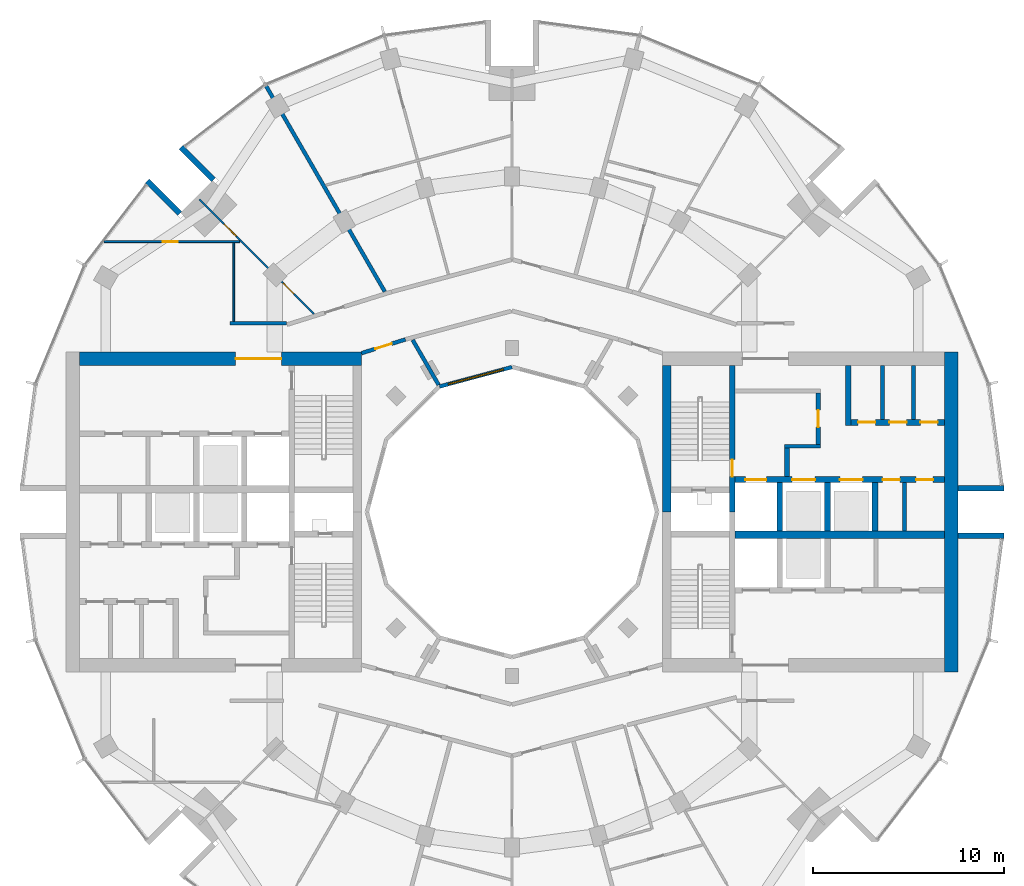
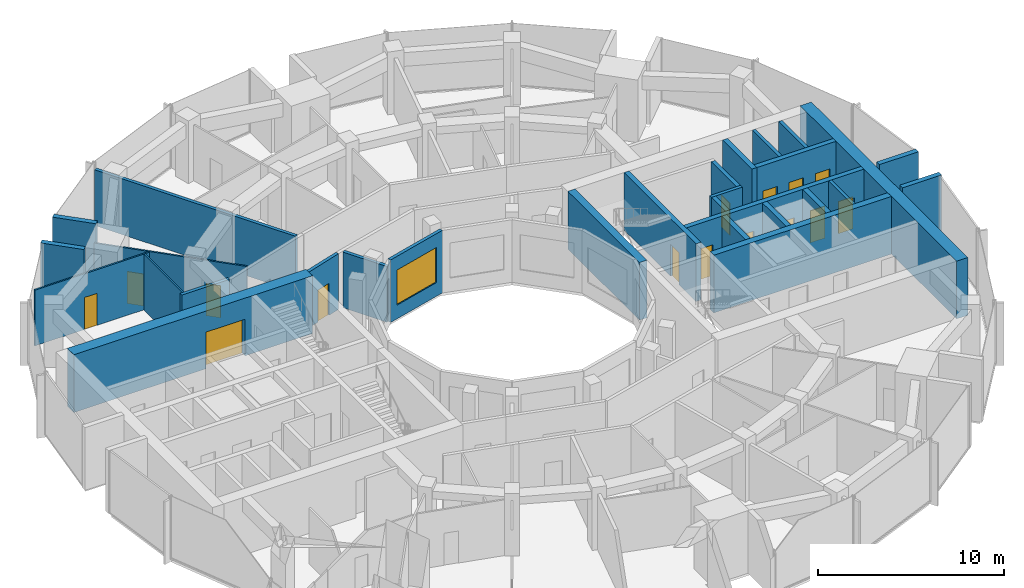
# One storey, part 11 of 15: 29 walls, 15 doors, 1 window, 16 openings.
"""IFC4 building model written with IfcOpenShell, lengths in metres."""

import ifcopenshell
import ifcopenshell.guid

model = None  # the IFC model being written
_history = None  # IfcOwnerHistory: only IFC2X3 demands one
_inside = {}  # id of a spatial element -> (the spatial element, [elements in it])
_under = {}  # id of a project, library or spatial element -> (it, [spatial elements below it])
_declared = {}  # id of a project -> (the project, [libraries it declares])
_typed = {}  # id of a type object -> (the type object, [elements of that type])
_made_of = {}  # id of a material, layer set ... -> (it, [elements and type objects made of it])


def new_model(schema):
    """Start an empty IFC model of exactly this schema.

    Asked for "IFC4X3", IfcOpenShell would pick the latest addendum, in which some entities
    have other attributes; the version numbers below select the first issue.
    IFC2X3 requires an IfcOwnerHistory on every rooted entity: one is made here for all.
    """
    global model, _history
    if schema == "IFC4X3":
        model = ifcopenshell.file(schema_version=(4, 3, 0, 0))
    else:
        model = ifcopenshell.file(schema=schema)
    _inside.clear()
    _under.clear()
    _declared.clear()
    _typed.clear()
    _made_of.clear()
    _history = None
    if model.schema == "IFC2X3":
        org = make("IfcOrganization", Name="unknown")
        user = make(
            "IfcPersonAndOrganization",
            ThePerson=make("IfcPerson", FamilyName="unknown"),
            TheOrganization=org,
        )
        app = make(
            "IfcApplication",
            ApplicationDeveloper=org,
            Version="unknown",
            ApplicationFullName="unknown",
            ApplicationIdentifier="unknown",
        )
        _history = make(
            "IfcOwnerHistory",
            OwningUser=user,
            OwningApplication=app,
            ChangeAction="ADDED",
            CreationDate=0,
        )
    return model


def make(cls, **values):
    """One entity of the class cls with the attributes given. An attribute that is None is left unset."""
    return model.create_entity(
        cls, **{name: value for name, value in values.items() if value is not None}
    )


def rooted(cls, **values):
    """An entity with a GlobalId (a new one), such as an element, a storey or a relation."""
    return make(cls, GlobalId=ifcopenshell.guid.new(), OwnerHistory=_history, **values)


def si_unit(unit_type, name, prefix=None):
    """IfcSIUnit, for example si_unit("LENGTHUNIT", "METRE", prefix="MILLI")."""
    return make("IfcSIUnit", UnitType=unit_type, Prefix=prefix, Name=name)


def assignment(units):
    """IfcUnitAssignment: the units of a project."""
    return None if units is None else make("IfcUnitAssignment", Units=units)


def point(xyz):
    """IfcCartesianPoint."""
    return None if xyz is None else make("IfcCartesianPoint", Coordinates=xyz)


def direction(xyz):
    """IfcDirection."""
    return None if xyz is None else make("IfcDirection", DirectionRatios=xyz)


def frame(location, z_axis=None, x_axis=None):
    """IfcAxis2Placement3D, a coordinate frame: its origin and axes. An axis left out is left unset."""
    return make(
        "IfcAxis2Placement3D",
        Location=point(location),
        Axis=direction(z_axis),
        RefDirection=direction(x_axis),
    )


def frame_2d(location, x_axis=None):
    """IfcAxis2Placement2D, a coordinate frame in the plane: its origin and x axis."""
    return make(
        "IfcAxis2Placement2D", Location=point(location), RefDirection=direction(x_axis)
    )


def origin():
    """The frame at (0, 0, 0) with its axes left unset."""
    return frame((0.0, 0.0, 0.0))


def place(relative_to, where):
    """IfcLocalPlacement: puts the frame where relative to a parent placement (None: the world)."""
    return make(
        "IfcLocalPlacement", PlacementRelTo=relative_to, RelativePlacement=where
    )


def context(
    kind, dimensions, precision=None, world=None, true_north=None, identifier=None
):
    """IfcGeometricRepresentationContext, for example the 3D "Model" context."""
    return make(
        "IfcGeometricRepresentationContext",
        ContextIdentifier=identifier,
        ContextType=kind,
        CoordinateSpaceDimension=dimensions,
        Precision=precision,
        WorldCoordinateSystem=world,
        TrueNorth=true_north,
    )


def subcontext(parent, identifier, kind, view, scale=None):
    """IfcGeometricRepresentationSubContext, for example "Body" below "Model"."""
    return make(
        "IfcGeometricRepresentationSubContext",
        ContextIdentifier=identifier,
        ContextType=kind,
        ParentContext=parent,
        TargetScale=scale,
        TargetView=view,
    )


def project(units=None, contexts=None):
    """IfcProject with its units and contexts."""
    return rooted(
        "IfcProject",
        Name="project",
        RepresentationContexts=contexts,
        UnitsInContext=assignment(units),
    )


def spatial(cls, under=None, at=None, **own):
    """A site, building, storey or space (cls), placed at a placement, below another one or the project."""
    s = rooted(cls, ObjectPlacement=at, **own)
    if under is not None:
        _under.setdefault(under.id(), (under, []))[1].append(s)
    return s


def profile(cls, at=None, kind="AREA", **sizes):
    """A parametric profile (cls). Its sizes go by their IFC names, for example OverallWidth=200.0."""
    return make(cls, ProfileType=kind, Position=at, **sizes)


def rectangle(**sizes):
    """IfcRectangleProfileDef."""
    return profile("IfcRectangleProfileDef", **sizes)


def extrude(swept, where, along, depth):
    """IfcExtrudedAreaSolid: the profile swept, set in the frame where, extruded along a direction by depth."""
    return make(
        "IfcExtrudedAreaSolid",
        SweptArea=swept,
        Position=where,
        ExtrudedDirection=direction(along),
        Depth=depth,
    )


def shape(context_of_items, identifier, shape_type, items):
    """IfcShapeRepresentation: the items that make up one representation, for example the "Body"."""
    return make(
        "IfcShapeRepresentation",
        ContextOfItems=context_of_items,
        RepresentationIdentifier=identifier,
        RepresentationType=shape_type,
        Items=items,
    )


def material(Name=None, Category=None):
    """IfcMaterial."""
    return make("IfcMaterial", Name=Name, Category=Category)


def layer(
    of_material, thickness, ventilated=None, Name=None, Category=None, Priority=None
):
    """IfcMaterialLayer: one layer of a wall or slab, of a material (None: an air gap)."""
    return make(
        "IfcMaterialLayer",
        Material=of_material,
        LayerThickness=thickness,
        IsVentilated=ventilated,
        Name=Name,
        Category=Category,
        Priority=Priority,
    )


def layer_set(layers, Name=None):
    """IfcMaterialLayerSet."""
    return make("IfcMaterialLayerSet", MaterialLayers=layers, LayerSetName=Name)


def made_of(thing, what):
    """Note that an element or type object is made of a material, layer set ...; save() writes the relation."""
    if what is not None:
        _made_of.setdefault(what.id(), (what, []))[1].append(thing)
    return thing


def type_object(cls, material=None, **own):
    """A type object (cls), such as IfcWallType, which elements share."""
    return made_of(rooted(cls, **own), material)


def element(
    cls,
    number,
    at=None,
    inside=None,
    cuts=None,
    type_object=None,
    material=None,
    context=None,
    identifier="Body",
    shape_type=None,
    held_by="IfcProductDefinitionShape",
    body=None,
    shapes=None,
    **own,
):
    """One element of the class cls, such as IfcWall. Its Tag is "e" and its number.

    at: its placement. inside: the storey or other place that contains it. cuts: it is an
    opening in that element (IfcRelVoidsElement). A single representation is given by context,
    identifier, shape_type and body (its items); several are given by shapes. held_by: the class
    of the entity that holds the representations. save() writes the other relations.
    """
    e = rooted(cls, Tag="e%d" % number, ObjectPlacement=at, **own)
    if body is not None:
        shapes = [shape(context, identifier, shape_type, body)]
    if shapes is not None:
        e.Representation = make(held_by, Representations=shapes)
    if inside is not None:
        _inside.setdefault(inside.id(), (inside, []))[1].append(e)
    if cuts is not None:
        rooted(
            "IfcRelVoidsElement", RelatingBuildingElement=cuts, RelatedOpeningElement=e
        )
    if type_object is not None:
        _typed.setdefault(type_object.id(), (type_object, []))[1].append(e)
    return made_of(e, material)


def fill(opening, filler):
    """IfcRelFillsElement: the door or window that sits in an opening."""
    return rooted(
        "IfcRelFillsElement",
        RelatingOpeningElement=opening,
        RelatedBuildingElement=filler,
    )


def aggregate(whole, parts):
    """IfcRelAggregates: a whole, such as a stair, and the parts it consists of."""
    return rooted("IfcRelAggregates", RelatingObject=whole, RelatedObjects=parts)


def save(model, path):
    """Write the relations noted so far, then the file.

    IfcRelAggregates (storeys below a building ...), IfcRelContainedInSpatialStructure (elements
    in a storey), IfcRelDefinesByType, IfcRelAssociatesMaterial and IfcRelDeclares: one each for
    every whole, place, type object, material and project.
    """
    for whole, parts in _under.values():
        aggregate(whole, parts)
    for where, things in _inside.values():
        rooted(
            "IfcRelContainedInSpatialStructure",
            RelatedElements=things,
            RelatingStructure=where,
        )
    for kind, things in _typed.values():
        rooted("IfcRelDefinesByType", RelatedObjects=things, RelatingType=kind)
    for what, things in _made_of.values():
        rooted("IfcRelAssociatesMaterial", RelatedObjects=things, RelatingMaterial=what)
    for by, libraries in _declared.values():
        rooted("IfcRelDeclares", RelatingContext=by, RelatedDefinitions=libraries)
    model.write(path)


model = new_model("IFC4")

# Units and contexts
model_context = context("Model", 3, precision=1e-05, world=origin(), true_north=direction((0.0, 1.0)))
body_context = subcontext(model_context, "Body", "Model", "MODEL_VIEW")
ifc_project = project(units=[si_unit("LENGTHUNIT", "METRE"), si_unit("AREAUNIT", "SQUARE_METRE"), si_unit("VOLUMEUNIT", "CUBIC_METRE"), si_unit("PLANEANGLEUNIT", "RADIAN"), si_unit("MASSUNIT", "GRAM", prefix="KILO")], contexts=[model_context])

# Site, building, storey
site_placement = place(None, origin())
site = spatial("IfcSite", under=ifc_project, at=site_placement, CompositionType="ELEMENT")
building_placement = place(site_placement, origin())
building = spatial("IfcBuilding", under=site, at=building_placement, Name="Torre Brocal", CompositionType="ELEMENT")
storey_placement = place(building_placement, frame((0.0, 0.0, 178.199951171875)))
storey = spatial("IfcBuildingStorey", under=building, at=storey_placement, Name="L41", CompositionType="ELEMENT", Elevation=178.199951171875)

# Walls
ifc_material_1 = material(Name="Masonry block", Category="masonry")
ifc_layer_1 = layer(ifc_material_1, 0.199951171875)
ifc_layer_set_1 = layer_set([ifc_layer_1], Name="Masonry block")
wall_type_1 = type_object("IfcWallType", Name="CORE PARTITION 200", PredefinedType="PARTITIONING", material=ifc_layer_set_1)
wall_1_placement = place(storey_placement, frame((100.60009765625, 74.0, 0.0), z_axis=(0.0, 0.0, 1.0), x_axis=(0.0, 1.0, 0.0)))
element("IfcWall", 1, at=wall_1_placement, inside=storey, type_object=wall_type_1, Name="Wall CP200", PredefinedType="PARTITIONING", context=body_context, shape_type="SweptSolid", body=[
    extrude(rectangle(XDim=2.550048828125, YDim=0.199951171875, at=frame_2d((1.27490234375, 0.0))), origin(), (0.0, 0.0, 1.0), 3.780029296875),
])
for number, where, z_axis, x_axis, name in (
    (2, (99.433349609375, 79.85009765625, 0.0), (0.0, 0.0, 1.0), (0.0, 1.0, 0.0), "Wall CP200"),
    (3, (101.066650390625, 79.85009765625, 0.0), (0.0, 0.0, 1.0), (0.0, 1.0, 0.0), "Wall CP200"),
):
    element("IfcWall", number, at=place(storey_placement, frame(where, z_axis=z_axis, x_axis=x_axis)), inside=storey, type_object=wall_type_1, Name=name, PredefinedType="PARTITIONING", context=body_context, shape_type="SweptSolid", body=[
        extrude(rectangle(XDim=2.849853515625, YDim=0.199951171875, at=frame_2d((1.4248046875, 0.0))), origin(), (0.0, 0.0, 1.0), 3.780029296875),
    ])
ifc_material_2 = material(Name="Concrete C70", Category="concrete")
ifc_layer_2 = layer(ifc_material_2, 0.199951171875)
ifc_layer_set_2 = layer_set([ifc_layer_2], Name="Concrete C70")
wall_type_2 = type_object("IfcWallType", Name="CORE WALL 200 C70", PredefinedType="SHEAR", material=ifc_layer_set_2)
wall_2_placement = place(storey_placement, frame((94.300048828125, 78.449951171875, 0.0), z_axis=(0.0, 0.0, 1.0), x_axis=(1.0, 0.0, 0.0)))
element("IfcWall", 4, at=wall_2_placement, inside=storey, type_object=wall_type_2, Name="Wall CW200-70", PredefinedType="SHEAR", context=body_context, shape_type="SweptSolid", body=[
    extrude(rectangle(XDim=1.89990234375, YDim=0.199951171875, at=frame_2d((0.949951171875, 0.0))), origin(), (0.0, 0.0, 1.0), 3.780029296875),
])

# Wall, opening, door
ifc_material_3 = material(Name="Concrete C70", Category="concrete")
ifc_layer_3 = layer(ifc_material_3, 0.25)
ifc_layer_set_3 = layer_set([ifc_layer_3], Name="Concrete C70")
wall_type_3 = type_object("IfcWallType", Name="CORE WALL 250 C70", PredefinedType="SHEAR", material=ifc_layer_set_3)
wall_3_placement = place(storey_placement, frame((96.074951171875, 78.550048828125, 0.0), z_axis=(0.0, 0.0, 1.0), x_axis=(0.0, 1.0, 0.0)))
wall_3 = element("IfcWall", 5, at=wall_3_placement, inside=storey, type_object=wall_type_3, Name="Wall CW250-70", PredefinedType="SHEAR", context=body_context, shape_type="SweptSolid", body=[
    extrude(rectangle(XDim=2.699951171875, YDim=0.25, at=frame_2d((1.35009765625, 0.0))), origin(), (0.0, 0.0, 1.0), 3.780029296875),
])
opening_1_placement = place(wall_3_placement, frame((0.89990234375, 0.0, 0.0)))
opening_1 = element("IfcOpeningElement", 6, at=opening_1_placement, cuts=wall_3, Name="Opening E-D08", PredefinedType="OPENING", context=body_context, shape_type="SweptSolid", body=[
    extrude(rectangle(XDim=0.89990234375, YDim=2.10009765625, at=frame_2d((0.449951171875, 1.050048828125))), frame((0.0, 0.135009765625, 0.0), z_axis=(0.0, -1.0, 0.0), x_axis=(1.0, 0.0, 0.0)), (0.0, 0.0, 1.0), 0.27001953125),
])
ifc_material_4 = material(Name="Steel A653", Category="steel")
door_type_1 = type_object("IfcDoorType", Name="LOBBY DOOR FD120 900X2100", OperationType="SINGLE_SWING_RIGHT", PredefinedType="DOOR", material=ifc_material_4)
door_1_placement = place(opening_1_placement, origin())
door_1 = element("IfcDoor", 7, at=door_1_placement, inside=storey, type_object=door_type_1, Name="Door E-D08", OperationType="SINGLE_SWING_LEFT", OverallHeight=2.10009765625, OverallWidth=0.89990234375, PredefinedType="DOOR", context=body_context, shape_type="SweptSolid", body=[
    extrude(rectangle(XDim=0.89990234375, YDim=2.10009765625, at=frame_2d((0.449951171875, 1.050048828125))), frame((0.0, 0.02490234375, 0.0), z_axis=(0.0, -1.0, 0.0), x_axis=(1.0, 0.0, 0.0)), (0.0, 0.0, 1.0), 0.050048828125),
])
fill(opening_1, door_1)

# Wall
wall_4_placement = place(storey_placement, frame((94.425048828125, 76.85009765625, 0.0), z_axis=(0.0, 0.0, 1.0), x_axis=(0.0, 1.0, 0.0)))
element("IfcWall", 8, at=wall_4_placement, inside=storey, type_object=wall_type_3, Name="Wall CW250-70", PredefinedType="SHEAR", context=body_context, shape_type="SweptSolid", body=[
    extrude(rectangle(XDim=1.5, YDim=0.25, at=frame_2d((0.75, 0.0))), origin(), (0.0, 0.0, 1.0), 3.780029296875),
])

# Wall, opening, door
ifc_material_5 = material(Name="Concrete C70", Category="concrete")
ifc_layer_4 = layer(ifc_material_5, 0.300048828125)
ifc_layer_set_4 = layer_set([ifc_layer_4], Name="Concrete C70")
wall_type_4 = type_object("IfcWallType", Name="CORE WALL 300 C70", PredefinedType="SHEAR", material=ifc_layer_set_4)
wall_5_placement = place(storey_placement, frame((91.550048828125, 75.0, 0.0), z_axis=(0.0, 0.0, 1.0), x_axis=(0.0, 1.0, 0.0)))
wall_5 = element("IfcWall", 9, at=wall_5_placement, inside=storey, type_object=wall_type_4, Name="Wall CW300-70", PredefinedType="SHEAR", context=body_context, shape_type="SweptSolid", body=[
    extrude(rectangle(XDim=7.699951171875, YDim=0.300048828125, at=frame_2d((3.85009765625, 0.0))), origin(), (0.0, 0.0, 1.0), 3.780029296875),
])
opening_2_placement = place(wall_5_placement, frame((1.85009765625, 0.0, 0.0)))
opening_2 = element("IfcOpeningElement", 10, at=opening_2_placement, cuts=wall_5, Name="Opening E-D02", PredefinedType="OPENING", context=body_context, shape_type="SweptSolid", body=[
    extrude(rectangle(XDim=0.89990234375, YDim=2.10009765625, at=frame_2d((0.449951171875, 1.050048828125))), frame((0.0, 0.159912109375, 0.0), z_axis=(0.0, -1.0, 0.0), x_axis=(1.0, 0.0, 0.0)), (0.0, 0.0, 1.0), 0.320068359375),
])
ifc_material_6 = material(Name="Steel A653", Category="steel")
door_type_2 = type_object("IfcDoorType", Name="STAIR DOOR FD120 900X2100", OperationType="SINGLE_SWING_RIGHT", PredefinedType="DOOR", material=ifc_material_6)
door_2_placement = place(opening_2_placement, origin())
door_2 = element("IfcDoor", 11, at=door_2_placement, inside=storey, type_object=door_type_2, Name="Door E-D02", OperationType="SINGLE_SWING_LEFT", OverallHeight=2.10009765625, OverallWidth=0.89990234375, PredefinedType="DOOR", context=body_context, shape_type="SweptSolid", body=[
    extrude(rectangle(XDim=0.89990234375, YDim=2.10009765625, at=frame_2d((0.449951171875, 1.050048828125))), frame((0.0, 0.02490234375, 0.0), z_axis=(0.0, -1.0, 0.0), x_axis=(1.0, 0.0, 0.0)), (0.0, 0.0, 1.0), 0.050048828125),
])
fill(opening_2, door_2)

# Wall, openings, doors
wall_6_placement = place(storey_placement, frame((91.699951171875, 76.699951171875, 0.0), z_axis=(0.0, 0.0, 1.0), x_axis=(1.0, 0.0, 0.0)))
wall_6 = element("IfcWall", 12, at=wall_6_placement, inside=storey, type_object=wall_type_4, Name="Wall CW300-70", PredefinedType="SHEAR", context=body_context, shape_type="SweptSolid", body=[
    extrude(rectangle(XDim=11.0, YDim=0.300048828125, at=frame_2d((5.5, 0.0))), origin(), (0.0, 0.0, 1.0), 3.780029296875),
])
opening_3_placement = place(wall_6_placement, frame((0.550048828125, 0.0, 0.0)))
opening_3 = element("IfcOpeningElement", 13, at=opening_3_placement, cuts=wall_6, Name="Opening LD", PredefinedType="OPENING", context=body_context, shape_type="SweptSolid", body=[
    extrude(rectangle(XDim=1.10009765625, YDim=2.10009765625, at=frame_2d((0.550048828125, 1.050048828125))), frame((0.0, 0.159912109375, 0.0), z_axis=(0.0, -1.0, 0.0), x_axis=(1.0, 0.0, 0.0)), (0.0, 0.0, 1.0), 0.320068359375),
])
opening_4_placement = place(wall_6_placement, frame((3.0, 0.0, 0.0)))
opening_4 = element("IfcOpeningElement", 14, at=opening_4_placement, cuts=wall_6, Name="Opening LD12", PredefinedType="OPENING", context=body_context, shape_type="SweptSolid", body=[
    extrude(rectangle(XDim=1.199951171875, YDim=2.10009765625, at=frame_2d((0.60009765625, 1.050048828125))), frame((0.0, 0.159912109375, 0.0), z_axis=(0.0, -1.0, 0.0), x_axis=(1.0, 0.0, 0.0)), (0.0, 0.0, 1.0), 0.320068359375),
])
opening_5_placement = place(wall_6_placement, frame((5.5, 0.0, 0.0)))
opening_5 = element("IfcOpeningElement", 15, at=opening_5_placement, cuts=wall_6, Name="Opening LD12", PredefinedType="OPENING", context=body_context, shape_type="SweptSolid", body=[
    extrude(rectangle(XDim=1.199951171875, YDim=2.10009765625, at=frame_2d((0.60009765625, 1.050048828125))), frame((0.0, 0.159912109375, 0.0), z_axis=(0.0, -1.0, 0.0), x_axis=(1.0, 0.0, 0.0)), (0.0, 0.0, 1.0), 0.320068359375),
])
opening_6_placement = place(wall_6_placement, frame((7.75, 0.0, 0.0)))
opening_6 = element("IfcOpeningElement", 16, at=opening_6_placement, cuts=wall_6, Name="Opening E-D04", PredefinedType="OPENING", context=body_context, shape_type="SweptSolid", body=[
    extrude(rectangle(XDim=0.89990234375, YDim=2.10009765625, at=frame_2d((0.449951171875, 1.050048828125))), frame((0.0, 0.159912109375, 0.0), z_axis=(0.0, -1.0, 0.0), x_axis=(1.0, 0.0, 0.0)), (0.0, 0.0, 1.0), 0.320068359375),
])
opening_7_placement = place(wall_6_placement, frame((9.5, 0.0, 0.0)))
opening_7 = element("IfcOpeningElement", 17, at=opening_7_placement, cuts=wall_6, Name="Opening E-D05", PredefinedType="OPENING", context=body_context, shape_type="SweptSolid", body=[
    extrude(rectangle(XDim=0.89990234375, YDim=2.10009765625, at=frame_2d((0.449951171875, 1.050048828125))), frame((0.0, 0.159912109375, 0.0), z_axis=(0.0, -1.0, 0.0), x_axis=(1.0, 0.0, 0.0)), (0.0, 0.0, 1.0), 0.320068359375),
])
ifc_material_7 = material(Name="Stainless steel AISI 316", Category="steel")
door_type_3 = type_object("IfcDoorType", Name="LIFT LANDING DOOR 1100X2100", OperationType="DOUBLE_DOOR_SLIDING", PredefinedType="DOOR", material=ifc_material_7)
door_3_placement = place(opening_3_placement, origin())
door_3 = element("IfcDoor", 18, at=door_3_placement, inside=storey, type_object=door_type_3, Name="Door LD", OperationType="DOUBLE_DOOR_SLIDING", OverallHeight=2.10009765625, OverallWidth=1.10009765625, PredefinedType="DOOR", context=body_context, shape_type="SweptSolid", body=[
    extrude(rectangle(XDim=1.10009765625, YDim=2.10009765625, at=frame_2d((0.550048828125, 1.050048828125))), frame((0.0, 0.02490234375, 0.0), z_axis=(0.0, -1.0, 0.0), x_axis=(1.0, 0.0, 0.0)), (0.0, 0.0, 1.0), 0.050048828125),
])
fill(opening_3, door_3)
ifc_material_8 = material(Name="Stainless steel AISI 316", Category="steel")
door_type_4 = type_object("IfcDoorType", Name="LIFT LANDING DOOR 1200X2100", OperationType="DOUBLE_DOOR_SLIDING", PredefinedType="DOOR", material=ifc_material_8)
door_4_placement = place(opening_4_placement, origin())
door_4 = element("IfcDoor", 19, at=door_4_placement, inside=storey, type_object=door_type_4, Name="Door LD12", OperationType="DOUBLE_DOOR_SLIDING", OverallHeight=2.10009765625, OverallWidth=1.199951171875, PredefinedType="DOOR", context=body_context, shape_type="SweptSolid", body=[
    extrude(rectangle(XDim=1.199951171875, YDim=2.10009765625, at=frame_2d((0.60009765625, 1.050048828125))), frame((0.0, 0.02490234375, 0.0), z_axis=(0.0, -1.0, 0.0), x_axis=(1.0, 0.0, 0.0)), (0.0, 0.0, 1.0), 0.050048828125),
])
fill(opening_4, door_4)
door_5_placement = place(opening_5_placement, origin())
door_5 = element("IfcDoor", 20, at=door_5_placement, inside=storey, type_object=door_type_4, Name="Door LD12", OperationType="DOUBLE_DOOR_SLIDING", OverallHeight=2.10009765625, OverallWidth=1.199951171875, PredefinedType="DOOR", context=body_context, shape_type="SweptSolid", body=[
    extrude(rectangle(XDim=1.199951171875, YDim=2.10009765625, at=frame_2d((0.60009765625, 1.050048828125))), frame((0.0, 0.02490234375, 0.0), z_axis=(0.0, -1.0, 0.0), x_axis=(1.0, 0.0, 0.0)), (0.0, 0.0, 1.0), 0.050048828125),
])
fill(opening_5, door_5)
ifc_material_9 = material(Name="Steel A653", Category="steel")
door_type_5 = type_object("IfcDoorType", Name="ROOM DOOR FD30S 900X2100", OperationType="SINGLE_SWING_LEFT", PredefinedType="DOOR", material=ifc_material_9)
door_6_placement = place(opening_6_placement, frame((0.89990234375, 0.0, 0.0), z_axis=(0.0, 0.0, 1.0), x_axis=(-1.0, 0.0, 0.0)))
door_6 = element("IfcDoor", 21, at=door_6_placement, inside=storey, type_object=door_type_5, Name="Door E-D04", OperationType="SINGLE_SWING_LEFT", OverallHeight=2.10009765625, OverallWidth=0.89990234375, PredefinedType="DOOR", context=body_context, shape_type="SweptSolid", body=[
    extrude(rectangle(XDim=0.89990234375, YDim=2.10009765625, at=frame_2d((0.449951171875, 1.050048828125))), frame((0.0, 0.02490234375, 0.0), z_axis=(0.0, -1.0, 0.0), x_axis=(1.0, 0.0, 0.0)), (0.0, 0.0, 1.0), 0.050048828125),
])
fill(opening_6, door_6)
door_7_placement = place(opening_7_placement, frame((0.89990234375, 0.0, 0.0), z_axis=(0.0, 0.0, 1.0), x_axis=(-1.0, 0.0, 0.0)))
door_7 = element("IfcDoor", 22, at=door_7_placement, inside=storey, type_object=door_type_5, Name="Door E-D05", OperationType="SINGLE_SWING_RIGHT", OverallHeight=2.10009765625, OverallWidth=0.89990234375, PredefinedType="DOOR", context=body_context, shape_type="SweptSolid", body=[
    extrude(rectangle(XDim=0.89990234375, YDim=2.10009765625, at=frame_2d((0.449951171875, 1.050048828125))), frame((0.0, 0.02490234375, 0.0), z_axis=(0.0, -1.0, 0.0), x_axis=(1.0, 0.0, 0.0)), (0.0, 0.0, 1.0), 0.050048828125),
])
fill(opening_7, door_7)

# Walls
for number, where, z_axis, x_axis, name in (
    (23, (94.050048828125, 74.0, 0.0), (0.0, 0.0, 1.0), (0.0, 1.0, 0.0), "Wall CW300-70"),
    (24, (96.550048828125, 74.0, 0.0), (0.0, 0.0, 1.0), (0.0, 1.0, 0.0), "Wall CW300-70"),
    (25, (99.050048828125, 74.0, 0.0), (0.0, 0.0, 1.0), (0.0, 1.0, 0.0), "Wall CW300-70"),
):
    element("IfcWall", number, at=place(storey_placement, frame(where, z_axis=z_axis, x_axis=x_axis)), inside=storey, type_object=wall_type_4, Name=name, PredefinedType="SHEAR", context=body_context, shape_type="SweptSolid", body=[
        extrude(rectangle(XDim=2.550048828125, YDim=0.300048828125, at=frame_2d((1.27490234375, 0.0))), origin(), (0.0, 0.0, 1.0), 3.780029296875),
    ])
wall_7_placement = place(storey_placement, frame((97.64990234375, 79.550048828125, 0.0), z_axis=(0.0, 0.0, 1.0), x_axis=(0.0, 1.0, 0.0)))
element("IfcWall", 26, at=wall_7_placement, inside=storey, type_object=wall_type_4, Name="Wall CW300-70", PredefinedType="SHEAR", context=body_context, shape_type="SweptSolid", body=[
    extrude(rectangle(XDim=3.14990234375, YDim=0.300048828125, at=frame_2d((1.574951171875, 0.0))), origin(), (0.0, 0.0, 1.0), 3.780029296875),
])

# Wall, openings, doors
wall_8_placement = place(storey_placement, frame((97.800048828125, 79.699951171875, 0.0), z_axis=(0.0, 0.0, 1.0), x_axis=(1.0, 0.0, 0.0)))
wall_8 = element("IfcWall", 27, at=wall_8_placement, inside=storey, type_object=wall_type_4, Name="Wall CW300-70", PredefinedType="SHEAR", context=body_context, shape_type="SweptSolid", body=[
    extrude(rectangle(XDim=4.89990234375, YDim=0.300048828125, at=frame_2d((2.449951171875, 0.0))), origin(), (0.0, 0.0, 1.0), 3.780029296875),
])
opening_8_placement = place(wall_8_placement, frame((0.36669921875, 0.0, 0.0)))
opening_8 = element("IfcOpeningElement", 28, at=opening_8_placement, cuts=wall_8, Name="Opening E-D09", PredefinedType="OPENING", context=body_context, shape_type="SweptSolid", body=[
    extrude(rectangle(XDim=0.89990234375, YDim=2.10009765625, at=frame_2d((0.449951171875, 1.050048828125))), frame((0.0, 0.159912109375, 0.0), z_axis=(0.0, -1.0, 0.0), x_axis=(1.0, 0.0, 0.0)), (0.0, 0.0, 1.0), 0.320068359375),
])
opening_9_placement = place(wall_8_placement, frame((2.0, 0.0, 0.0)))
opening_9 = element("IfcOpeningElement", 29, at=opening_9_placement, cuts=wall_8, Name="Opening E-D10", PredefinedType="OPENING", context=body_context, shape_type="SweptSolid", body=[
    extrude(rectangle(XDim=0.89990234375, YDim=2.10009765625, at=frame_2d((0.449951171875, 1.050048828125))), frame((0.0, 0.159912109375, 0.0), z_axis=(0.0, -1.0, 0.0), x_axis=(1.0, 0.0, 0.0)), (0.0, 0.0, 1.0), 0.320068359375),
])
opening_10_placement = place(wall_8_placement, frame((3.63330078125, 0.0, 0.0)))
opening_10 = element("IfcOpeningElement", 30, at=opening_10_placement, cuts=wall_8, Name="Opening E-D11", PredefinedType="OPENING", context=body_context, shape_type="SweptSolid", body=[
    extrude(rectangle(XDim=0.89990234375, YDim=2.10009765625, at=frame_2d((0.449951171875, 1.050048828125))), frame((0.0, 0.159912109375, 0.0), z_axis=(0.0, -1.0, 0.0), x_axis=(1.0, 0.0, 0.0)), (0.0, 0.0, 1.0), 0.320068359375),
])
door_8_placement = place(opening_8_placement, origin())
door_8 = element("IfcDoor", 31, at=door_8_placement, inside=storey, type_object=door_type_5, Name="Door E-D09", OperationType="SINGLE_SWING_RIGHT", OverallHeight=2.10009765625, OverallWidth=0.89990234375, PredefinedType="DOOR", context=body_context, shape_type="SweptSolid", body=[
    extrude(rectangle(XDim=0.89990234375, YDim=2.10009765625, at=frame_2d((0.449951171875, 1.050048828125))), frame((0.0, 0.02490234375, 0.0), z_axis=(0.0, -1.0, 0.0), x_axis=(1.0, 0.0, 0.0)), (0.0, 0.0, 1.0), 0.050048828125),
])
fill(opening_8, door_8)
door_9_placement = place(opening_9_placement, origin())
door_9 = element("IfcDoor", 32, at=door_9_placement, inside=storey, type_object=door_type_5, Name="Door E-D10", OperationType="SINGLE_SWING_LEFT", OverallHeight=2.10009765625, OverallWidth=0.89990234375, PredefinedType="DOOR", context=body_context, shape_type="SweptSolid", body=[
    extrude(rectangle(XDim=0.89990234375, YDim=2.10009765625, at=frame_2d((0.449951171875, 1.050048828125))), frame((0.0, 0.02490234375, 0.0), z_axis=(0.0, -1.0, 0.0), x_axis=(1.0, 0.0, 0.0)), (0.0, 0.0, 1.0), 0.050048828125),
])
fill(opening_9, door_9)
door_10_placement = place(opening_10_placement, origin())
door_10 = element("IfcDoor", 33, at=door_10_placement, inside=storey, type_object=door_type_5, Name="Door E-D11", OperationType="SINGLE_SWING_LEFT", OverallHeight=2.10009765625, OverallWidth=0.89990234375, PredefinedType="DOOR", context=body_context, shape_type="SweptSolid", body=[
    extrude(rectangle(XDim=0.89990234375, YDim=2.10009765625, at=frame_2d((0.449951171875, 1.050048828125))), frame((0.0, 0.02490234375, 0.0), z_axis=(0.0, -1.0, 0.0), x_axis=(1.0, 0.0, 0.0)), (0.0, 0.0, 1.0), 0.050048828125),
])
fill(opening_10, door_10)

# Walls
ifc_material_10 = material(Name="Concrete C70", Category="concrete")
ifc_layer_5 = layer(ifc_material_10, 0.39990234375)
ifc_layer_set_5 = layer_set([ifc_layer_5], Name="Concrete C70")
wall_type_5 = type_object("IfcWallType", Name="CORE WALL 400 C70", PredefinedType="SHEAR", material=ifc_layer_set_5)
wall_9_placement = place(storey_placement, frame((91.699951171875, 73.800048828125, 0.0), z_axis=(0.0, 0.0, 1.0), x_axis=(1.0, 0.0, 0.0)))
element("IfcWall", 34, at=wall_9_placement, inside=storey, type_object=wall_type_5, Name="Wall CW400-70", PredefinedType="SHEAR", context=body_context, shape_type="SweptSolid", body=[
    extrude(rectangle(XDim=11.0, YDim=0.39990234375, at=frame_2d((5.5, 0.0))), origin(), (0.0, 0.0, 1.0), 3.780029296875),
])
ifc_material_11 = material(Name="Concrete C70", Category="concrete")
ifc_layer_6 = layer(ifc_material_11, 0.449951171875)
ifc_layer_set_6 = layer_set([ifc_layer_6], Name="Concrete C70")
wall_type_6 = type_object("IfcWallType", Name="CORE WALL 450 C70", PredefinedType="SHEAR", material=ifc_layer_set_6)
wall_10_placement = place(storey_placement, frame((88.125, 75.0, 0.0), z_axis=(0.0, 0.0, 1.0), x_axis=(0.0, 1.0, 0.0)))
element("IfcWall", 35, at=wall_10_placement, inside=storey, type_object=wall_type_6, Name="Wall CW450-70", PredefinedType="SHEAR", context=body_context, shape_type="SweptSolid", body=[
    extrude(rectangle(XDim=7.699951171875, YDim=0.449951171875, at=frame_2d((3.85009765625, 0.0))), origin(), (0.0, 0.0, 1.0), 3.780029296875),
])
ifc_material_12 = material(Name="Concrete C70", Category="concrete")
ifc_layer_7 = layer(ifc_material_12, 0.699951171875)
ifc_layer_set_7 = layer_set([ifc_layer_7], Name="Concrete C70")
wall_type_7 = type_object("IfcWallType", Name="CORE WALL 700 C70", PredefinedType="SHEAR", material=ifc_layer_set_7)
wall_11_placement = place(storey_placement, frame((103.050048828125, 66.60009765625, 0.0), z_axis=(0.0, 0.0, 1.0), x_axis=(0.0, 1.0, 0.0)))
element("IfcWall", 36, at=wall_11_placement, inside=storey, type_object=wall_type_7, Name="Wall CW700-70", PredefinedType="SHEAR", context=body_context, shape_type="SweptSolid", body=[
    extrude(rectangle(XDim=16.7998046875, YDim=0.699951171875, at=frame_2d((8.39990234375, 0.0))), origin(), (0.0, 0.0, 1.0), 3.780029296875),
])

# Wall, opening, door
wall_12_placement = place(storey_placement, frame((72.10009765625, 83.050048828125, 0.0), z_axis=(0.0, 0.0, 1.0), x_axis=(-1.0, 0.0, 0.0)))
wall_12 = element("IfcWall", 37, at=wall_12_placement, inside=storey, type_object=wall_type_7, Name="Wall CW700-70", PredefinedType="SHEAR", context=body_context, shape_type="SweptSolid", body=[
    extrude(rectangle(XDim=14.800048828125, YDim=0.699951171875, at=frame_2d((7.39990234375, 0.0))), origin(), (0.0, 0.0, 1.0), 3.780029296875),
])
opening_11_placement = place(wall_12_placement, frame((4.199951171875, 0.0, 0.0)))
opening_11 = element("IfcOpeningElement", 38, at=opening_11_placement, cuts=wall_12, Name="Opening W-D13", PredefinedType="OPENING", context=body_context, shape_type="SweptSolid", body=[
    extrude(rectangle(XDim=2.39990234375, YDim=2.39990234375, at=frame_2d((1.199951171875, 1.199951171875))), frame((0.0, 0.35986328125, 0.0), z_axis=(0.0, -1.0, 0.0), x_axis=(1.0, 0.0, 0.0)), (0.0, 0.0, 1.0), 0.719970703125),
])
ifc_material_13 = material(Name="Steel A653", Category="steel")
door_type_6 = type_object("IfcDoorType", Name="DOUBLE FIRE DOOR FD90 2400X2400", OperationType="DOUBLE_DOOR_SINGLE_SWING", PredefinedType="DOOR", material=ifc_material_13)
door_11_placement = place(opening_11_placement, origin())
door_11 = element("IfcDoor", 39, at=door_11_placement, inside=storey, type_object=door_type_6, Name="Door W-D13", OperationType="DOUBLE_DOOR_SINGLE_SWING", OverallHeight=2.39990234375, OverallWidth=2.39990234375, PredefinedType="DOOR", context=body_context, shape_type="SweptSolid", body=[
    extrude(rectangle(XDim=2.39990234375, YDim=2.39990234375, at=frame_2d((1.199951171875, 1.199951171875))), frame((0.0, 0.02490234375, 0.0), z_axis=(0.0, -1.0, 0.0), x_axis=(1.0, 0.0, 0.0)), (0.0, 0.0, 1.0), 0.050048828125),
])
fill(opening_11, door_11)

# Walls
ifc_material_14 = material(Name="Concrete C70", Category="concrete")
ifc_layer_8 = layer(ifc_material_14, 0.300048828125)
ifc_layer_set_8 = layer_set([ifc_layer_8], Name="Concrete C70")
wall_type_8 = type_object("IfcWallType", Name="NOTCH RETURN WALL 300 C70", PredefinedType="NOTDEFINED", material=ifc_layer_set_8)
for number, where, z_axis, x_axis, name in (
    (40, (103.39990234375, 73.75, 0.0), (0.0, 0.0, 1.0), (1.0, 0.0, 0.0), "NOTCH RETURN WALL"),
    (41, (103.39990234375, 76.25, 0.0), (0.0, 0.0, 1.0), (1.0, 0.0, 0.0), "NOTCH RETURN WALL"),
    (42, (64.337646484375, 92.43017578125, 0.0), (0.0, 0.0, 1.0), (-0.707106781187, 0.707106781187, 0.0), "NOTCH RETURN WALL"),
    (43, (62.56982421875, 90.662353515625, 0.0), (0.0, 0.0, 1.0), (-0.707106781187, 0.707106781187, 0.0), "NOTCH RETURN WALL"),
):
    element("IfcWall", number, at=place(storey_placement, frame(where, z_axis=z_axis, x_axis=x_axis)), inside=storey, type_object=wall_type_8, Name=name, PredefinedType="NOTDEFINED", context=body_context, shape_type="SweptSolid", body=[
        extrude(rectangle(XDim=2.415771484375, YDim=0.300048828125, at=frame_2d((1.2080078125, 0.0))), origin(), (0.0, 0.0, 1.0), 4.10009765625),
    ])

# Wall, opening, door
ifc_material_15 = material(Name="Gypsum board", Category="Gypsum")
ifc_layer_9 = layer(ifc_material_15, 0.10009765625)
ifc_layer_set_9 = layer_set([ifc_layer_9], Name="Gypsum board")
wall_type_9 = type_object("IfcWallType", Name="PARTITION 100", PredefinedType="PARTITIONING", material=ifc_layer_set_9)
wall_13_placement = place(storey_placement, frame((58.60009765625, 89.18798828125, 0.0), z_axis=(0.0, 0.0, 1.0), x_axis=(1.0, 0.0, 0.0)))
wall_13 = element("IfcWall", 44, at=wall_13_placement, inside=storey, type_object=wall_type_9, Name="BATHROOM WALL", PredefinedType="PARTITIONING", context=body_context, shape_type="SweptSolid", body=[
    extrude(rectangle(XDim=7.1025390625, YDim=0.10009765625, at=frame_2d((3.55126953125, 0.0))), origin(), (0.0, 0.0, 1.0), 3.650146484375),
])
opening_12_placement = place(wall_13_placement, frame((3.06494140625, 0.0, 0.0)))
opening_12 = element("IfcOpeningElement", 45, at=opening_12_placement, cuts=wall_13, Name="Opening R02-D14", PredefinedType="OPENING", context=body_context, shape_type="SweptSolid", body=[
    extrude(rectangle(XDim=0.800048828125, YDim=2.10009765625, at=frame_2d((0.39990234375, 1.050048828125))), frame((0.0, 0.06005859375, 0.0), z_axis=(0.0, -1.0, 0.0), x_axis=(1.0, 0.0, 0.0)), (0.0, 0.0, 1.0), 0.1201171875),
])
ifc_material_16 = material(Name="Timber", Category="wood")
door_type_7 = type_object("IfcDoorType", Name="BATHROOM DOOR 800X2100", OperationType="SINGLE_SWING_LEFT", PredefinedType="DOOR", material=ifc_material_16)
door_12_placement = place(opening_12_placement, frame((0.800048828125, 0.0, 0.0), z_axis=(0.0, 0.0, 1.0), x_axis=(-1.0, 0.0, 0.0)))
door_12 = element("IfcDoor", 46, at=door_12_placement, inside=storey, type_object=door_type_7, Name="R02-D14", OperationType="SINGLE_SWING_LEFT", OverallHeight=2.10009765625, OverallWidth=0.800048828125, PredefinedType="DOOR", context=body_context, shape_type="SweptSolid", body=[
    extrude(rectangle(XDim=0.800048828125, YDim=2.10009765625, at=frame_2d((0.39990234375, 1.050048828125))), frame((0.0, 0.02490234375, 0.0), z_axis=(0.0, -1.0, 0.0), x_axis=(1.0, 0.0, 0.0)), (0.0, 0.0, 1.0), 0.050048828125),
])
fill(opening_12, door_12)

# Wall, openings, doors
wall_14_placement = place(storey_placement, frame((63.59765625, 91.4072265625, 0.0), z_axis=(0.0, 0.0, 1.0), x_axis=(0.70700623685, -0.707207311228, 0.0)))
wall_14 = element("IfcWall", 47, at=wall_14_placement, inside=storey, type_object=wall_type_9, Name="BATHROOM WALL", PredefinedType="PARTITIONING", context=body_context, shape_type="SweptSolid", body=[
    extrude(rectangle(XDim=8.499267578125, YDim=0.10009765625, at=frame_2d((4.24951171875, 0.0))), origin(), (0.0, 0.0, 1.0), 3.650146484375),
])
opening_13_placement = place(wall_14_placement, frame((1.830322265625, 0.0, 0.0)))
opening_13 = element("IfcOpeningElement", 48, at=opening_13_placement, cuts=wall_14, Name="Opening R02-D13", PredefinedType="OPENING", context=body_context, shape_type="SweptSolid", body=[
    extrude(rectangle(XDim=0.89990234375, YDim=2.10009765625, at=frame_2d((0.449951171875, 1.050048828125))), frame((0.0, 0.06005859375, 0.0), z_axis=(0.0, -1.0, 0.0), x_axis=(1.0, 0.0, 0.0)), (0.0, 0.0, 1.0), 0.1201171875),
])
opening_14_placement = place(wall_14_placement, frame((6.218505859375, 0.0, 0.0)))
opening_14 = element("IfcOpeningElement", 49, at=opening_14_placement, cuts=wall_14, Name="Opening R02-D15", PredefinedType="OPENING", context=body_context, shape_type="SweptSolid", body=[
    extrude(rectangle(XDim=0.800048828125, YDim=2.10009765625, at=frame_2d((0.39990234375, 1.050048828125))), frame((0.0, 0.06005859375, 0.0), z_axis=(0.0, -1.0, 0.0), x_axis=(1.0, 0.0, 0.0)), (0.0, 0.0, 1.0), 0.1201171875),
])
door_13_placement = place(opening_14_placement, frame((0.800048828125, 0.0, 0.0), z_axis=(0.0, 0.0, 1.0), x_axis=(-1.0, 0.0, 0.0)))
door_13 = element("IfcDoor", 50, at=door_13_placement, inside=storey, type_object=door_type_7, Name="R02-D15", OperationType="SINGLE_SWING_LEFT", OverallHeight=2.10009765625, OverallWidth=0.800048828125, PredefinedType="DOOR", context=body_context, shape_type="SweptSolid", body=[
    extrude(rectangle(XDim=0.800048828125, YDim=2.10009765625, at=frame_2d((0.39990234375, 1.050048828125))), frame((0.0, 0.02490234375, 0.0), z_axis=(0.0, -1.0, 0.0), x_axis=(1.0, 0.0, 0.0)), (0.0, 0.0, 1.0), 0.050048828125),
])
fill(opening_14, door_13)
ifc_material_17 = material(Name="Timber", Category="wood")
door_type_8 = type_object("IfcDoorType", Name="ROOM DOOR 900X2100", OperationType="SINGLE_SWING_LEFT", PredefinedType="DOOR", material=ifc_material_17)
door_14_placement = place(opening_13_placement, frame((0.89990234375, 0.0, 0.0), z_axis=(0.0, 0.0, 1.0), x_axis=(-1.0, 0.0, 0.0)))
door_14 = element("IfcDoor", 51, at=door_14_placement, inside=storey, type_object=door_type_8, Name="R02-D13", OperationType="SINGLE_SWING_RIGHT", OverallHeight=2.10009765625, OverallWidth=0.89990234375, PredefinedType="DOOR", context=body_context, shape_type="SweptSolid", body=[
    extrude(rectangle(XDim=0.89990234375, YDim=2.10009765625, at=frame_2d((0.449951171875, 1.050048828125))), frame((0.0, 0.02490234375, 0.0), z_axis=(0.0, -1.0, 0.0), x_axis=(1.0, 0.0, 0.0)), (0.0, 0.0, 1.0), 0.050048828125),
])
fill(opening_13, door_14)

# Walls
wall_15_placement = place(storey_placement, frame((65.39990234375, 85.0, 0.0), z_axis=(0.0, 0.0, 1.0), x_axis=(0.0, 1.0, 0.0)))
element("IfcWall", 52, at=wall_15_placement, inside=storey, type_object=wall_type_9, Name="BATHROOM WALL", PredefinedType="PARTITIONING", context=body_context, shape_type="SweptSolid", body=[
    extrude(rectangle(XDim=4.137939453125, YDim=0.10009765625, at=frame_2d((2.06884765625, 0.0))), origin(), (0.0, 0.0, 1.0), 3.650146484375),
])
ifc_material_18 = material(Name="Gypsum board", Category="Gypsum")
ifc_layer_10 = layer(ifc_material_18, 0.199951171875)
ifc_layer_set_10 = layer_set([ifc_layer_10], Name="Gypsum board")
wall_type_10 = type_object("IfcWallType", Name="PARTITION 200 EI60", PredefinedType="PARTITIONING", material=ifc_layer_set_10)
wall_16_placement = place(storey_placement, frame((65.199951171875, 84.89990234375, 0.0), z_axis=(0.0, 0.0, 1.0), x_axis=(1.0, 0.0, 0.0)))
element("IfcWall", 53, at=wall_16_placement, inside=storey, type_object=wall_type_10, Name="CORRIDOR WALL", PredefinedType="PARTITIONING", context=body_context, shape_type="SweptSolid", body=[
    extrude(rectangle(XDim=2.969970703125, YDim=0.199951171875, at=frame_2d((1.48486328125, 0.0))), origin(), (0.0, 0.0, 1.0), 3.650146484375),
])
wall_17_placement = place(storey_placement, frame((67.10400390625, 97.343017578125, 0.0), z_axis=(0.0, 0.0, 1.0), x_axis=(0.499841888023, -0.866116670534, 0.0)))
element("IfcWall", 54, at=wall_17_placement, inside=storey, type_object=wall_type_10, Name="BATHROOM WALL", PredefinedType="PARTITIONING", context=body_context, shape_type="SweptSolid", body=[
    extrude(rectangle(XDim=12.44580078125, YDim=0.199951171875, at=frame_2d((6.222900390625, 0.0))), origin(), (0.0, 0.0, 1.0), 3.650146484375),
])

# Wall, opening, door
wall_18_placement = place(storey_placement, frame((72.10009765625, 83.33203125, 0.0), z_axis=(0.0, 0.0, 1.0), x_axis=(0.954233106619, 0.299063836383, 0.0)))
wall_18 = element("IfcWall", 55, at=wall_18_placement, inside=storey, type_object=wall_type_10, Name="CORRIDOR WALL", PredefinedType="PARTITIONING", context=body_context, shape_type="SweptSolid", body=[
    extrude(rectangle(XDim=2.4140625, YDim=0.199951171875, at=frame_2d((1.20703125, 0.0))), origin(), (0.0, 0.0, 1.0), 3.650146484375),
])
opening_15_placement = place(wall_18_placement, frame((0.761962890625, 0.0, 0.0)))
opening_15 = element("IfcOpeningElement", 56, at=opening_15_placement, cuts=wall_18, Name="Opening R02-D18", PredefinedType="OPENING", context=body_context, shape_type="SweptSolid", body=[
    extrude(rectangle(XDim=0.89990234375, YDim=2.10009765625, at=frame_2d((0.449951171875, 1.050048828125))), frame((0.0, 0.10986328125, 0.0), z_axis=(0.0, -1.0, 0.0), x_axis=(1.0, 0.0, 0.0)), (0.0, 0.0, 1.0), 0.219970703125),
])
door_15_placement = place(opening_15_placement, frame((0.89990234375, 0.0, 0.0), z_axis=(0.0, 0.0, 1.0), x_axis=(-1.0, 0.0, 0.0)))
door_15 = element("IfcDoor", 57, at=door_15_placement, inside=storey, type_object=door_type_8, Name="R02-D18", OperationType="SINGLE_SWING_RIGHT", OverallHeight=2.10009765625, OverallWidth=0.89990234375, PredefinedType="DOOR", context=body_context, shape_type="SweptSolid", body=[
    extrude(rectangle(XDim=0.89990234375, YDim=2.10009765625, at=frame_2d((0.449951171875, 1.050048828125))), frame((0.0, 0.02490234375, 0.0), z_axis=(0.0, -1.0, 0.0), x_axis=(1.0, 0.0, 0.0)), (0.0, 0.0, 1.0), 0.050048828125),
])
fill(opening_15, door_15)

# Wall
wall_19_placement = place(storey_placement, frame((74.788330078125, 84.027587890625, 0.0), z_axis=(0.0, 0.0, 1.0), x_axis=(0.499859501914, -0.866106505198, 0.0)))
element("IfcWall", 58, at=wall_19_placement, inside=storey, type_object=wall_type_10, Name="SERVICE ROOM WALL", PredefinedType="PARTITIONING", context=body_context, shape_type="SweptSolid", body=[
    extrude(rectangle(XDim=2.724365234375, YDim=0.199951171875, at=frame_2d((1.3623046875, 0.0))), origin(), (0.0, 0.0, 1.0), 3.650146484375),
])

# Wall, opening, window
ifc_material_19 = material(Name="Concrete C40", Category="concrete")
ifc_layer_11 = layer(ifc_material_19, 0.199951171875)
ifc_layer_set_11 = layer_set([ifc_layer_11], Name="Concrete C40")
wall_type_11 = type_object("IfcWallType", Name="WELL FACADE WALL 200", PredefinedType="NOTDEFINED", material=ifc_layer_set_11)
wall_20_placement = place(storey_placement, frame((80.0, 82.603515625, 0.0), z_axis=(0.0, 0.0, 1.0), x_axis=(-0.965933654434, -0.258789828301, 0.0)))
wall_20 = element("IfcWall", 59, at=wall_20_placement, inside=storey, type_object=wall_type_11, Name="WELL FACADE WALL", PredefinedType="NOTDEFINED", context=body_context, shape_type="SweptSolid", body=[
    extrude(rectangle(XDim=3.935791015625, YDim=0.199951171875, at=frame_2d((1.9677734375, 0.0))), origin(), (0.0, 0.0, 1.0), 4.10009765625),
])
opening_16_placement = place(wall_20_placement, frame((0.468017578125, 0.0, 0.89990234375)))
opening_16 = element("IfcOpeningElement", 60, at=opening_16_placement, cuts=wall_20, Name="Opening W1", PredefinedType="OPENING", context=body_context, shape_type="SweptSolid", body=[
    extrude(rectangle(XDim=3.0, YDim=2.300048828125, at=frame_2d((1.5, 1.14990234375))), frame((0.0, 0.10986328125, 0.0), z_axis=(0.0, -1.0, 0.0), x_axis=(1.0, 0.0, 0.0)), (0.0, 0.0, 1.0), 0.219970703125),
])
ifc_material_20 = material(Name="Aluminium and glass", Category="aluminium")
window_type = type_object("IfcWindowType", Name="WELL WINDOW 3000X2300", PartitioningType="SINGLE_PANEL", PredefinedType="WINDOW", material=ifc_material_20)
window_placement = place(opening_16_placement, origin())
window = element("IfcWindow", 61, at=window_placement, inside=storey, type_object=window_type, Name="WELL WINDOW 3000X2300", OverallHeight=2.300048828125, OverallWidth=3.0, PartitioningType="SINGLE_PANEL", PredefinedType="WINDOW", context=body_context, shape_type="SweptSolid", body=[
    extrude(rectangle(XDim=3.0, YDim=2.300048828125, at=frame_2d((1.5, 1.14990234375))), frame((0.0, 0.030029296875, 0.0), z_axis=(0.0, -1.0, 0.0), x_axis=(1.0, 0.0, 0.0)), (0.0, 0.0, 1.0), 0.06005859375),
])
fill(opening_16, window)

save(model, "model.ifc")
